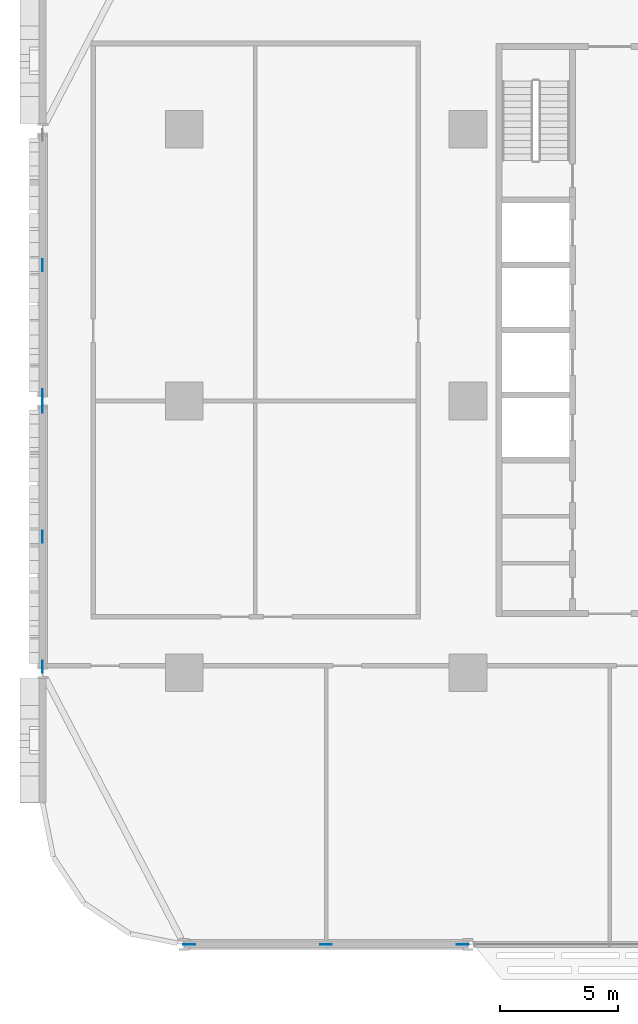
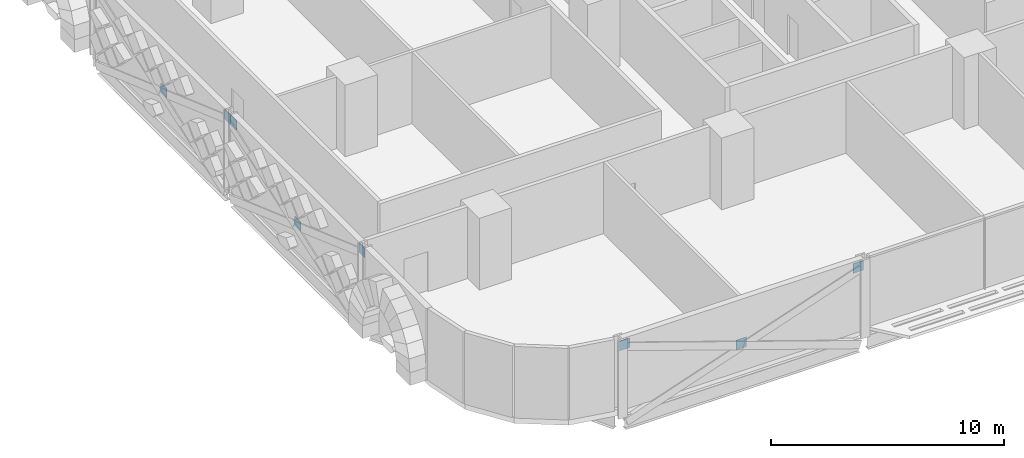
# One storey, part 16 of 29: 8 discrete accessories.
"""IFC4 building model written with IfcOpenShell, lengths in metres."""

from ifc_helpers import new_model, si_unit, direction, frame, origin, origin_2d, place, context, subcontext, project, spatial, rectangle, extrude, material, layer, layer_set, type_object, element, save


model = new_model("IFC4")

# Units and contexts
model_context = context("Model", 3, precision=1e-05, world=origin(), true_north=direction((0.0, 1.0)))
body_context = subcontext(model_context, "Body", "Model", "MODEL_VIEW")
ifc_project = project(units=[si_unit("LENGTHUNIT", "METRE"), si_unit("AREAUNIT", "SQUARE_METRE"), si_unit("VOLUMEUNIT", "CUBIC_METRE"), si_unit("PLANEANGLEUNIT", "RADIAN"), si_unit("MASSUNIT", "GRAM", prefix="KILO")], contexts=[model_context])

# Site, building, storey
site_placement = place(None, origin())
site = spatial("IfcSite", under=ifc_project, at=site_placement, CompositionType="ELEMENT")
building_placement = place(site_placement, origin())
building = spatial("IfcBuilding", under=site, at=building_placement, Name="Mahtab Terrace Research Tower", CompositionType="ELEMENT")
storey_placement = place(building_placement, frame((0.0, 0.0, 37.300048828125)))
storey = spatial("IfcBuildingStorey", under=building, at=storey_placement, Name="L08", CompositionType="ELEMENT", Elevation=37.300048828125)

# Discrete accessories
ifc_material = material(Name="Steel ASTM A992 Gr 50", Category="steel")
ifc_layer = layer(ifc_material, 0.030029296875)
ifc_layer_set = layer_set([ifc_layer], Name="Gusset plate 500x500x30")
discrete_accessory_type = type_object("IfcDiscreteAccessoryType", Name="Gusset plate 500x500x30", PredefinedType="USERDEFINED", material=ifc_layer_set)
for number, where, z_axis, x_axis, name in (
    (1, (-41.7841796875, -23.0, 3.0478515625), (0.0, 0.0, 1.0), (1.0, 0.0, 0.0), "Gusset plate"),
    (2, (-36.0, -23.0, 1.076416015625), (0.0, 0.0, 1.0), (1.0, 0.0, 0.0), "Gusset plate"),
    (3, (-30.2158203125, -23.0, 3.0478515625), (0.0, 0.0, 1.0), (1.0, 0.0, 0.0), "Gusset plate"),
    (4, (-48.0, -11.251220703125, 3.032958984375), (0.0, 0.0, 1.0), (0.0, 1.0, 0.0), "Gusset plate"),
    (5, (-48.0, -5.75, 1.076416015625), (0.0, 0.0, 1.0), (0.0, 1.0, 0.0), "Gusset plate"),
    (6, (-48.0, -0.248779296875, 3.032958984375), (0.0, 0.0, 1.0), (0.0, 1.0, 0.0), "Gusset plate"),
    (7, (-48.0, 0.248779296875, 3.032958984375), (0.0, 0.0, 1.0), (0.0, 1.0, 0.0), "Gusset plate"),
    (8, (-48.0, 5.75, 1.076416015625), (0.0, 0.0, 1.0), (0.0, 1.0, 0.0), "Gusset plate"),
):
    element("IfcDiscreteAccessory", number, at=place(storey_placement, frame(where, z_axis=z_axis, x_axis=x_axis)), inside=storey, type_object=discrete_accessory_type, Name=name, ObjectType="GUSSET PLATE", PredefinedType="USERDEFINED", context=body_context, shape_type="SweptSolid", body=[
        extrude(rectangle(XDim=0.5, YDim=0.030029296875, at=origin_2d()), origin(), (0.0, 0.0, 1.0), 0.5),
    ])

save(model, "model.ifc")
